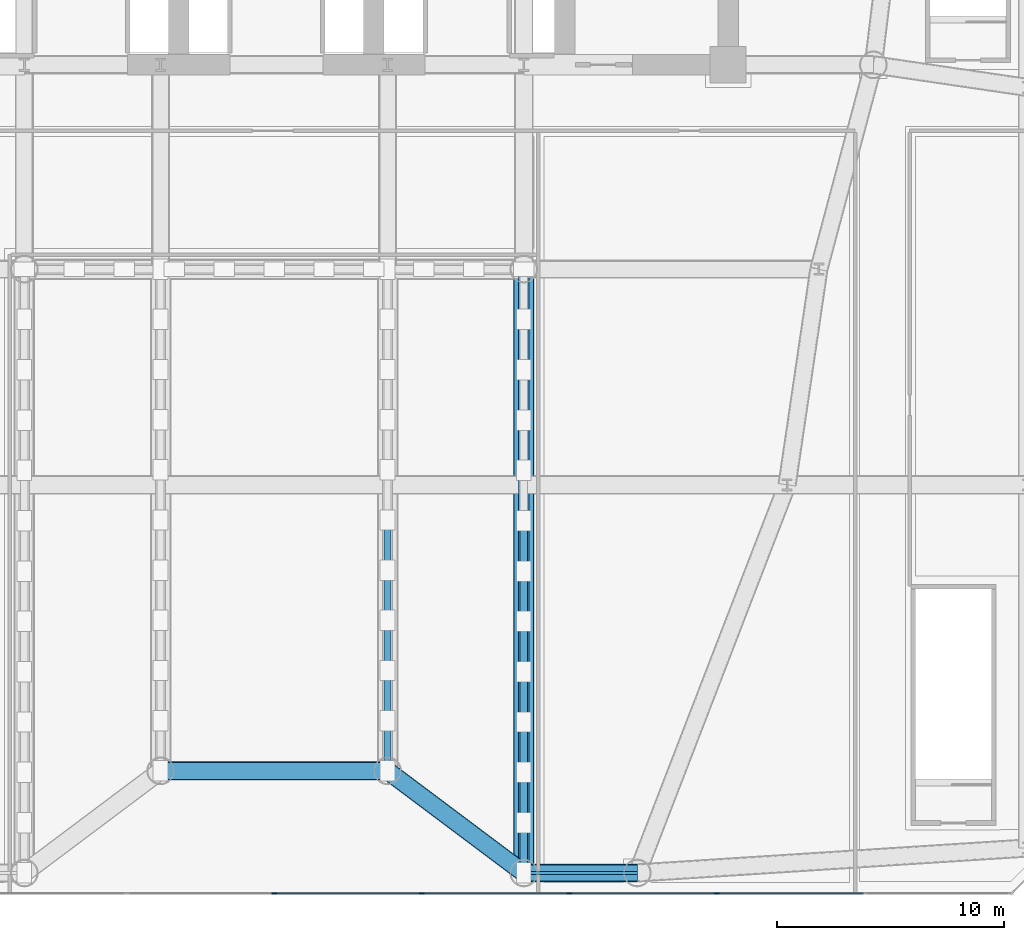
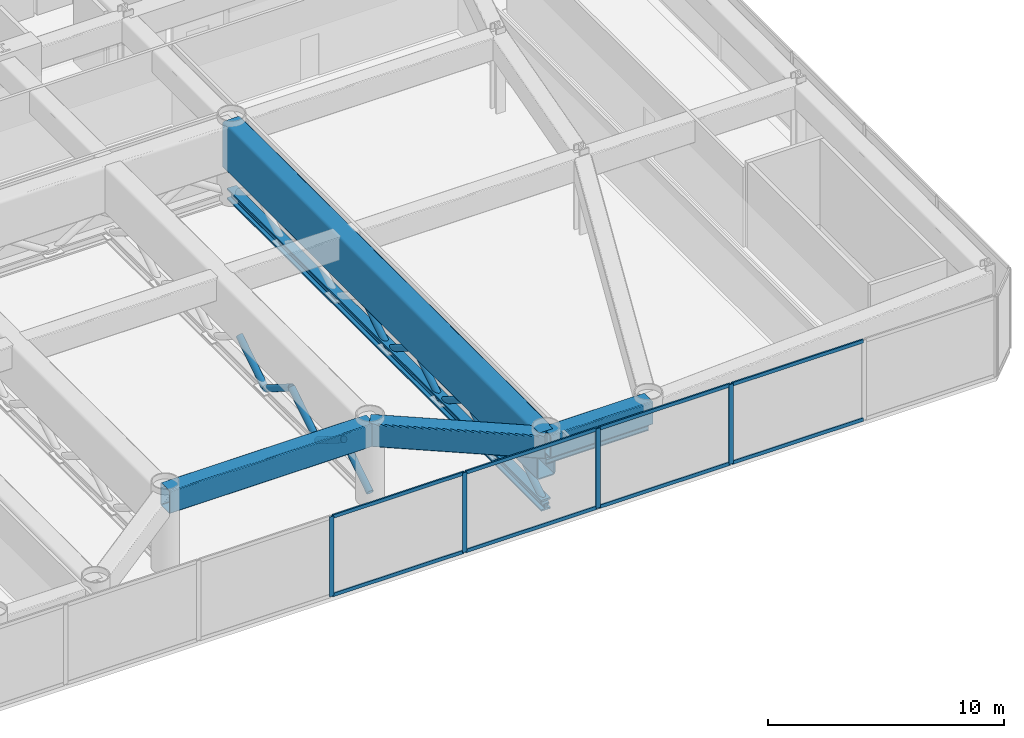
# One storey, part 4 of 21: 25 members, 5 beams, 1 element without a shape of its own.
"""IFC4 building model written with IfcOpenShell, lengths in metres."""

from ifc_helpers import new_model, si_unit, direction, frame, origin, origin_2d, place, context, subcontext, project, spatial, rectangle, hollow_rectangle, hollow_circle, i_section, extrude, source, transform, mapped, material, layer, layer_set, material_profile, profile_set, type_object, element, aggregate, save


model = new_model("IFC4")

# Units and contexts
model_context = context("Model", 3, precision=1e-05, world=origin(), true_north=direction((0.0, 1.0)))
body_context = subcontext(model_context, "Body", "Model", "MODEL_VIEW")
ifc_project = project(units=[si_unit("LENGTHUNIT", "METRE"), si_unit("AREAUNIT", "SQUARE_METRE"), si_unit("VOLUMEUNIT", "CUBIC_METRE"), si_unit("PLANEANGLEUNIT", "RADIAN"), si_unit("MASSUNIT", "GRAM", prefix="KILO")], contexts=[model_context])

# Site, building, storey
site_placement = place(None, origin())
site = spatial("IfcSite", under=ifc_project, at=site_placement, CompositionType="ELEMENT")
building_placement = place(site_placement, origin())
building = spatial("IfcBuilding", under=site, at=building_placement, Name="Vaeldorn Concourse Tower", CompositionType="ELEMENT")
storey_placement = place(building_placement, frame((0.0, 0.0, 14.39990234375)))
storey = spatial("IfcBuildingStorey", under=building, at=storey_placement, Name="L03", CompositionType="ELEMENT", Elevation=14.39990234375)

# Beams
ifc_material_1 = material(Name="Steel S460", Category="steel")
ifc_material_profile_1 = material_profile(ifc_material_1, hollow_rectangle(XDim=0.800048828125, YDim=1.199951171875, WallThickness=0.044921875, InnerFilletRadius=0.044921875, OuterFilletRadius=0.090087890625, at=origin_2d()), Name="RHS 1200x800x45")
ifc_profile_set_1 = profile_set([ifc_material_profile_1], Name="Steel S460")
beam_type_1 = type_object("IfcBeamType", Name="BM-TG-RHS1200", PredefinedType="BEAM", material=ifc_profile_set_1)
shared_shape_1 = source(origin(), body_context, "Body", "SweptSolid", [
    extrude(hollow_rectangle(XDim=0.800048828125, YDim=1.199951171875, WallThickness=0.044921875, InnerFilletRadius=0.044921875, OuterFilletRadius=0.090087890625, at=origin_2d()), origin(), (0.0, 0.0, 1.0), 10.0),
])
beam_1_placement = place(storey_placement, frame((29.0, 5.39990234375, 3.52001953125), z_axis=(1.0, 0.0, 0.0), x_axis=(0.0, 1.0, 0.0)))
element("IfcBeam", 1, at=beam_1_placement, inside=storey, type_object=beam_type_1, Name="Beam BM-L03-TG-15", PredefinedType="BEAM", context=body_context, shape_type="MappedRepresentation", body=[
    mapped(shared_shape_1, transform((0.0, 0.0, 0.0), scale=1.0)),
])
ifc_material_profile_2 = material_profile(ifc_material_1, hollow_rectangle(XDim=0.89990234375, YDim=2.39990234375, WallThickness=0.06005859375, InnerFilletRadius=0.06005859375, OuterFilletRadius=0.1201171875, at=origin_2d()), Name="RHS 2400x900x60")
ifc_profile_set_2 = profile_set([ifc_material_profile_2], Name="Steel S460")
beam_type_2 = type_object("IfcBeamType", Name="BM-TG-BOX2400", PredefinedType="BEAM", material=ifc_profile_set_2)
shared_shape_2 = source(origin(), body_context, "Body", "SweptSolid", [
    extrude(hollow_rectangle(XDim=0.89990234375, YDim=2.39990234375, WallThickness=0.06005859375, InnerFilletRadius=0.06005859375, OuterFilletRadius=0.1201171875, at=origin_2d()), origin(), (0.0, 0.0, 1.0), 26.60009765625),
])
beam_2_placement = place(storey_placement, frame((45.0, 0.89990234375, 2.920166015625), z_axis=(0.0, 1.0, 0.0), x_axis=(-1.0, 0.0, 0.0)))
element("IfcBeam", 2, at=beam_2_placement, inside=storey, type_object=beam_type_2, Name="Beam BM-L03-TG-E2400", PredefinedType="BEAM", context=body_context, shape_type="MappedRepresentation", body=[
    mapped(shared_shape_2, transform((0.0, 0.0, 0.0), scale=1.0)),
])
shared_shape_3 = source(origin(), body_context, "Body", "SweptSolid", [
    extrude(hollow_rectangle(XDim=0.800048828125, YDim=1.199951171875, WallThickness=0.044921875, InnerFilletRadius=0.044921875, OuterFilletRadius=0.090087890625, at=origin_2d()), origin(), (0.0, 0.0, 1.0), 5.0),
])
beam_3_placement = place(storey_placement, frame((45.0, 0.89990234375, 3.52001953125), z_axis=(1.0, 0.0, 0.0), x_axis=(0.0, 1.0, 0.0)))
element("IfcBeam", 3, at=beam_3_placement, inside=storey, type_object=beam_type_1, Name="Beam BM-L03-TG-17", PredefinedType="BEAM", context=body_context, shape_type="MappedRepresentation", body=[
    mapped(shared_shape_3, transform((0.0, 0.0, 0.0), scale=1.0)),
])
shared_shape_4 = source(origin(), body_context, "Body", "SweptSolid", [
    extrude(hollow_rectangle(XDim=0.800048828125, YDim=1.199951171875, WallThickness=0.044921875, InnerFilletRadius=0.044921875, OuterFilletRadius=0.090087890625, at=origin_2d()), origin(), (0.0, 0.0, 1.0), 7.5),
])
beam_4_placement = place(storey_placement, frame((39.0, 5.39990234375, 3.52001953125), z_axis=(0.8, -0.6, 0.0), x_axis=(0.6, 0.8, 0.0)))
element("IfcBeam", 4, at=beam_4_placement, inside=storey, type_object=beam_type_1, Name="Beam BM-L03-TG-16", PredefinedType="BEAM", context=body_context, shape_type="MappedRepresentation", body=[
    mapped(shared_shape_4, transform((0.0, 0.0, 0.0), scale=1.0)),
])
ifc_material_2 = material(Name="Steel S355", Category="steel")
ifc_material_profile_3 = material_profile(ifc_material_2, i_section(OverallWidth=0.1201171875, OverallDepth=0.239990234375, WebThickness=0.006103515625, FlangeThickness=0.009765625, FilletRadius=0.014892578125, at=origin_2d()), Name="IPE 240")
ifc_profile_set_3 = profile_set([ifc_material_profile_3], Name="Steel S355")
beam_type_3 = type_object("IfcBeamType", Name="BM-LN-IPE240", PredefinedType="LINTEL", material=ifc_profile_set_3)
shared_shape_5 = source(origin(), body_context, "Body", "SweptSolid", [
    extrude(i_section(OverallWidth=0.1201171875, OverallDepth=0.239990234375, WebThickness=0.006103515625, FlangeThickness=0.009765625, FilletRadius=0.014892578125, at=origin_2d()), origin(), (0.0, 0.0, 1.0), 5.0),
])
beam_5_placement = place(storey_placement, frame((45.0, 0.89990234375, 2.550048828125), z_axis=(1.0, 0.0, 0.0), x_axis=(0.0, 1.0, 0.0)))
element("IfcBeam", 5, at=beam_5_placement, inside=storey, type_object=beam_type_3, Name="Podium Concourse Transom Lintel L03-2", PredefinedType="LINTEL", context=body_context, shape_type="MappedRepresentation", body=[
    mapped(shared_shape_5, transform((0.0, 0.0, 0.0), scale=1.0)),
])

# Members
ifc_material_profile_4 = material_profile(ifc_material_1, i_section(OverallWidth=0.4541015625, OverallDepth=0.569091796875, WebThickness=0.077880859375, FlangeThickness=0.080078125, FilletRadius=0.014892578125, at=origin_2d()), Name="HD 400x1086")
ifc_profile_set_4 = profile_set([ifc_material_profile_4], Name="Steel S460")
member_type_1 = type_object("IfcMemberType", Name="MB-TT-CHORD", PredefinedType="CHORD", material=ifc_profile_set_4)
shared_shape_6 = source(origin(), body_context, "Body", "SweptSolid", [
    extrude(i_section(OverallWidth=0.4541015625, OverallDepth=0.569091796875, WebThickness=0.077880859375, FlangeThickness=0.080078125, FilletRadius=0.014892578125, at=origin_2d()), origin(), (0.0, 0.0, 1.0), 26.60009765625),
])
member_1_placement = place(storey_placement, frame((45.0, 0.89990234375, 0.320068359375), z_axis=(0.0, 1.0, 0.0), x_axis=(-1.0, 0.0, 0.0)))
element("IfcMember", 6, at=member_1_placement, inside=storey, type_object=member_type_1, Name="Concourse Spanning Frame TT4 Bottom Chord", PredefinedType="CHORD", context=body_context, shape_type="MappedRepresentation", body=[
    mapped(shared_shape_6, transform((0.0, 0.0, 0.0), scale=1.0)),
])
ifc_material_profile_5 = material_profile(ifc_material_1, hollow_circle(Radius=0.161865234375, WallThickness=0.01611328125, at=origin_2d()), Name="CHS 323.9x16")
ifc_profile_set_5 = profile_set([ifc_material_profile_5], Name="Steel S460")
member_type_2 = type_object("IfcMemberType", Name="MB-KINK-STRUT", PredefinedType="STRUT", material=ifc_profile_set_5)
shared_shape_7 = source(origin(), body_context, "Body", "SweptSolid", [
    extrude(hollow_circle(Radius=0.161865234375, WallThickness=0.01611328125, at=origin_2d()), origin(), (0.0, 0.0, 1.0), 2.621826171875),
])
for number, where, z_axis, x_axis, name in (
    (7, (45.0, 0.89990234375, 0.320068359375), (0.0, 0.845477839764, 0.534010507825), (-1.0, 0.0, 0.0), "Concourse Spanning Frame TT4 Web Diagonal 1"),
    (8, (45.0, 5.333251953125, 0.320068359375), (0.0, -0.845451283482, 0.534052551027), (1.0, 0.0, 0.0), "Concourse Spanning Frame TT4 Web Diagonal 2"),
    (9, (45.0, 5.333251953125, 0.320068359375), (0.0, 0.845477839764, 0.534010507825), (-1.0, 0.0, 0.0), "Concourse Spanning Frame TT4 Web Diagonal 3"),
    (10, (45.0, 9.7666015625, 0.320068359375), (0.0, -0.845451283482, 0.534052551027), (1.0, 0.0, 0.0), "Concourse Spanning Frame TT4 Web Diagonal 4"),
    (11, (45.0, 9.7666015625, 0.320068359375), (0.0, 0.845477839764, 0.534010507825), (-1.0, 0.0, 0.0), "Concourse Spanning Frame TT4 Web Diagonal 5"),
    (12, (45.0, 14.199951171875, 0.320068359375), (0.0, -0.845451283482, 0.534052551027), (1.0, 0.0, 0.0), "Concourse Spanning Frame TT4 Web Diagonal 6"),
    (13, (45.0, 14.199951171875, 0.320068359375), (0.0, 0.845477839764, 0.534010507825), (-1.0, 0.0, 0.0), "Concourse Spanning Frame TT4 Web Diagonal 7"),
):
    element("IfcMember", number, at=place(storey_placement, frame(where, z_axis=z_axis, x_axis=x_axis)), inside=storey, type_object=member_type_2, Name=name, PredefinedType="STRUT", context=body_context, shape_type="MappedRepresentation", body=[
        mapped(shared_shape_7, transform((0.0, 0.0, 0.0), scale=1.0)),
    ])
shared_shape_8 = source(origin(), body_context, "Body", "SweptSolid", [
    extrude(hollow_circle(Radius=0.161865234375, WallThickness=0.01611328125, at=origin_2d()), origin(), (0.0, 0.0, 1.0), 2.616455078125),
])
member_2_placement = place(storey_placement, frame((39.0, 5.39990234375, 0.320068359375), z_axis=(0.0, 0.844758613094, 0.535147536296), x_axis=(-1.0, 0.0, 0.0)))
element("IfcMember", 14, at=member_2_placement, inside=storey, type_object=member_type_2, Name="Concourse Spanning Frame TT3 Web Diagonal 1", PredefinedType="STRUT", context=body_context, shape_type="MappedRepresentation", body=[
    mapped(shared_shape_8, transform((0.0, 0.0, 0.0), scale=1.0)),
])
shared_shape_9 = source(origin(), body_context, "Body", "SweptSolid", [
    extrude(hollow_circle(Radius=0.161865234375, WallThickness=0.01611328125, at=origin_2d()), origin(), (0.0, 0.0, 1.0), 2.6162109375),
])
for number, where, z_axis, x_axis, name in (
    (15, (39.0, 9.820068359375, 0.320068359375), (0.0, -0.844731886813, 0.53518972281), (1.0, 0.0, 0.0), "Concourse Spanning Frame TT3 Web Diagonal 2"),
    (16, (39.0, 9.820068359375, 0.320068359375), (0.0, 0.844731886813, 0.53518972281), (-1.0, 0.0, 0.0), "Concourse Spanning Frame TT3 Web Diagonal 3"),
    (17, (39.0, 14.239990234375, 0.320068359375), (0.0, -0.844731886813, 0.53518972281), (1.0, 0.0, 0.0), "Concourse Spanning Frame TT3 Web Diagonal 4"),
    (18, (39.0, 14.239990234375, 0.320068359375), (0.0, 0.844731886813, 0.53518972281), (-1.0, 0.0, 0.0), "Concourse Spanning Frame TT3 Web Diagonal 5"),
):
    element("IfcMember", number, at=place(storey_placement, frame(where, z_axis=z_axis, x_axis=x_axis)), inside=storey, type_object=member_type_2, Name=name, PredefinedType="STRUT", context=body_context, shape_type="MappedRepresentation", body=[
        mapped(shared_shape_9, transform((0.0, 0.0, 0.0), scale=1.0)),
    ])

# Curtain wall, members
ifc_material_3 = material(Name="Anodised Bronze Aluminium", Category="aluminium")
ifc_layer = layer(ifc_material_3, 0.239990234375)
ifc_layer_set = layer_set([ifc_layer], Name="Anodised Bronze Aluminium")
curtain_wall_type = type_object("IfcCurtainWallType", Name="CW-SYS-04", PredefinedType="NOTDEFINED", material=ifc_layer_set)
curtain_wall_placement = place(storey_placement, origin())
curtain_wall = element("IfcCurtainWall", 19, at=curtain_wall_placement, inside=storey, type_object=curtain_wall_type, Name="Unitised Curtain Wall CW-L03-E01-1", PredefinedType="NOTDEFINED")
ifc_material_profile_6 = material_profile(ifc_material_3, rectangle(XDim=0.074951171875, YDim=0.179931640625, at=origin_2d()), Name="CWT 75x180")
ifc_profile_set_6 = profile_set([ifc_material_profile_6], Name="Anodised Bronze Aluminium")
member_type_3 = type_object("IfcMemberType", Name="CWT-BRONZE-180", PredefinedType="USERDEFINED", material=ifc_profile_set_6)
shared_shape_10 = source(origin(), body_context, "Body", "SweptSolid", [
    extrude(rectangle(XDim=0.074951171875, YDim=0.179931640625, at=origin_2d()), origin(), (0.0, 0.0, 1.0), 6.4248046875),
])
member_3_placement = place(storey_placement, frame((34.03759765625, 0.0, 0.03759765625), z_axis=(1.0, 0.0, 0.0), x_axis=(0.0, 1.0, 0.0)))
member_3 = element("IfcMember", 20, at=member_3_placement, type_object=member_type_3, Name="CW-04 transom 6.1", ObjectType="TRANSOM", PredefinedType="USERDEFINED", context=body_context, shape_type="MappedRepresentation", body=[
    mapped(shared_shape_10, transform((0.0, 0.0, 0.0), scale=1.0)),
])
member_4_placement = place(storey_placement, frame((34.03759765625, 0.0, 4.08251953125), z_axis=(1.0, 0.0, 0.0), x_axis=(0.0, 1.0, 0.0)))
member_4 = element("IfcMember", 21, at=member_4_placement, type_object=member_type_3, Name="CW-04 transom 6.2", ObjectType="TRANSOM", PredefinedType="USERDEFINED", context=body_context, shape_type="MappedRepresentation", body=[
    mapped(shared_shape_10, transform((0.0, 0.0, 0.0), scale=1.0)),
])
member_5_placement = place(storey_placement, frame((40.53759765625, 0.0, 0.03759765625), z_axis=(1.0, 0.0, 0.0), x_axis=(0.0, 1.0, 0.0)))
member_5 = element("IfcMember", 22, at=member_5_placement, type_object=member_type_3, Name="CW-04 transom 7.1", ObjectType="TRANSOM", PredefinedType="USERDEFINED", context=body_context, shape_type="MappedRepresentation", body=[
    mapped(shared_shape_10, transform((0.0, 0.0, 0.0), scale=1.0)),
])
member_6_placement = place(storey_placement, frame((40.53759765625, 0.0, 4.08251953125), z_axis=(1.0, 0.0, 0.0), x_axis=(0.0, 1.0, 0.0)))
member_6 = element("IfcMember", 23, at=member_6_placement, type_object=member_type_3, Name="CW-04 transom 7.2", ObjectType="TRANSOM", PredefinedType="USERDEFINED", context=body_context, shape_type="MappedRepresentation", body=[
    mapped(shared_shape_10, transform((0.0, 0.0, 0.0), scale=1.0)),
])
member_7_placement = place(storey_placement, frame((47.03759765625, 0.0, 0.03759765625), z_axis=(1.0, 0.0, 0.0), x_axis=(0.0, 1.0, 0.0)))
member_7 = element("IfcMember", 24, at=member_7_placement, type_object=member_type_3, Name="CW-04 transom 8.1", ObjectType="TRANSOM", PredefinedType="USERDEFINED", context=body_context, shape_type="MappedRepresentation", body=[
    mapped(shared_shape_10, transform((0.0, 0.0, 0.0), scale=1.0)),
])
member_8_placement = place(storey_placement, frame((47.03759765625, 0.0, 4.08251953125), z_axis=(1.0, 0.0, 0.0), x_axis=(0.0, 1.0, 0.0)))
member_8 = element("IfcMember", 25, at=member_8_placement, type_object=member_type_3, Name="CW-04 transom 8.2", ObjectType="TRANSOM", PredefinedType="USERDEFINED", context=body_context, shape_type="MappedRepresentation", body=[
    mapped(shared_shape_10, transform((0.0, 0.0, 0.0), scale=1.0)),
])
member_9_placement = place(storey_placement, frame((53.53759765625, 0.0, 0.03759765625), z_axis=(1.0, 0.0, 0.0), x_axis=(0.0, 1.0, 0.0)))
member_9 = element("IfcMember", 26, at=member_9_placement, type_object=member_type_3, Name="CW-04 transom 9.1", ObjectType="TRANSOM", PredefinedType="USERDEFINED", context=body_context, shape_type="MappedRepresentation", body=[
    mapped(shared_shape_10, transform((0.0, 0.0, 0.0), scale=1.0)),
])
member_10_placement = place(storey_placement, frame((53.53759765625, 0.0, 4.08251953125), z_axis=(1.0, 0.0, 0.0), x_axis=(0.0, 1.0, 0.0)))
member_10 = element("IfcMember", 27, at=member_10_placement, type_object=member_type_3, Name="CW-04 transom 9.2", ObjectType="TRANSOM", PredefinedType="USERDEFINED", context=body_context, shape_type="MappedRepresentation", body=[
    mapped(shared_shape_10, transform((0.0, 0.0, 0.0), scale=1.0)),
])
ifc_material_profile_7 = material_profile(ifc_material_3, rectangle(XDim=0.074951171875, YDim=0.219970703125, at=origin_2d()), Name="CWM 75x220")
ifc_profile_set_7 = profile_set([ifc_material_profile_7], Name="Anodised Bronze Aluminium")
member_type_4 = type_object("IfcMemberType", Name="CWM-BRONZE-220", PredefinedType="MULLION", material=ifc_profile_set_7)
shared_shape_11 = source(origin(), body_context, "Body", "SweptSolid", [
    extrude(rectangle(XDim=0.074951171875, YDim=0.219970703125, at=origin_2d()), origin(), (0.0, 0.0, 1.0), 4.1201171875),
])
member_11_placement = place(storey_placement, frame((34.0, 0.0, 0.0), z_axis=(0.0, 0.0, 1.0), x_axis=(0.0, 1.0, 0.0)))
member_11 = element("IfcMember", 28, at=member_11_placement, type_object=member_type_4, Name="CW-04 mullion 6", PredefinedType="MULLION", context=body_context, shape_type="MappedRepresentation", body=[
    mapped(shared_shape_11, transform((0.0, 0.0, 0.0), scale=1.0)),
])
member_12_placement = place(storey_placement, frame((40.5, 0.0, 0.0), z_axis=(0.0, 0.0, 1.0), x_axis=(0.0, 1.0, 0.0)))
member_12 = element("IfcMember", 29, at=member_12_placement, type_object=member_type_4, Name="CW-04 mullion 7", PredefinedType="MULLION", context=body_context, shape_type="MappedRepresentation", body=[
    mapped(shared_shape_11, transform((0.0, 0.0, 0.0), scale=1.0)),
])
member_13_placement = place(storey_placement, frame((47.0, 0.0, 0.0), z_axis=(0.0, 0.0, 1.0), x_axis=(0.0, 1.0, 0.0)))
member_13 = element("IfcMember", 30, at=member_13_placement, type_object=member_type_4, Name="CW-04 mullion 8", PredefinedType="MULLION", context=body_context, shape_type="MappedRepresentation", body=[
    mapped(shared_shape_11, transform((0.0, 0.0, 0.0), scale=1.0)),
])
member_14_placement = place(storey_placement, frame((53.5, 0.0, 0.0), z_axis=(0.0, 0.0, 1.0), x_axis=(0.0, 1.0, 0.0)))
member_14 = element("IfcMember", 31, at=member_14_placement, type_object=member_type_4, Name="CW-04 mullion 9", PredefinedType="MULLION", context=body_context, shape_type="MappedRepresentation", body=[
    mapped(shared_shape_11, transform((0.0, 0.0, 0.0), scale=1.0)),
])
aggregate(curtain_wall, [member_11, member_12, member_13, member_14, member_3, member_4, member_5, member_6, member_7, member_8, member_9, member_10])

save(model, "model.ifc")
